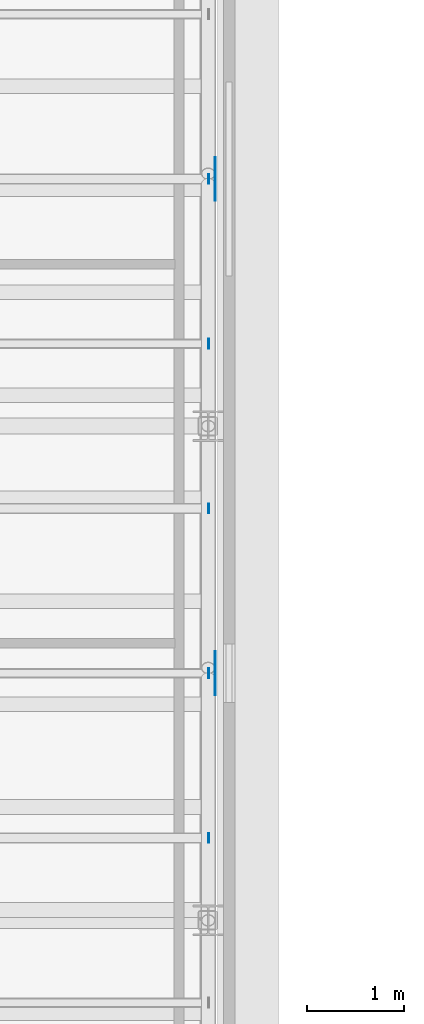
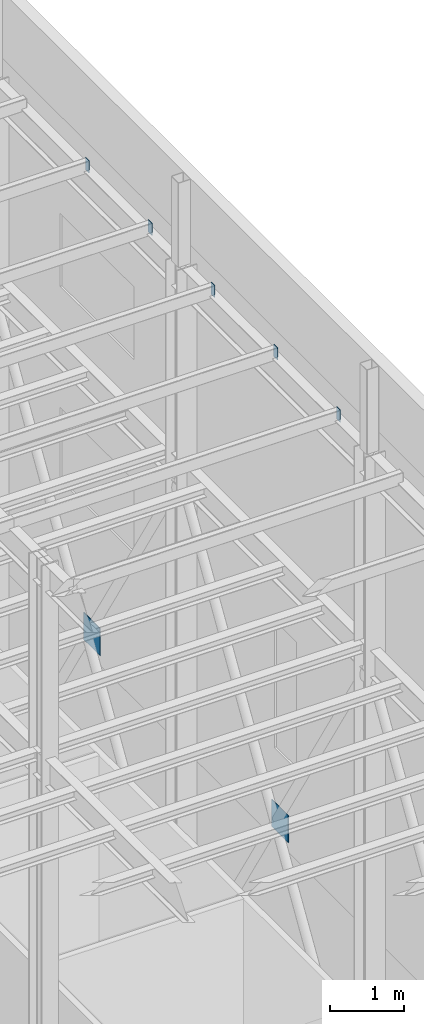
# One storey, part 16 of 22: 7 plates.
"""IFC4 building model written with IfcOpenShell, lengths in metres."""

from ifc_helpers import new_model, si_unit, direction, frame, origin, origin_2d, place, context, subcontext, project, spatial, rectangle, extrude, material, layer, layer_set, type_object, element, save


model = new_model("IFC4")

# Units and contexts
model_context = context("Model", 3, precision=1e-05, world=origin(), true_north=direction((0.0, 1.0)))
body_context = subcontext(model_context, "Body", "Model", "MODEL_VIEW")
ifc_project = project(units=[si_unit("LENGTHUNIT", "METRE"), si_unit("AREAUNIT", "SQUARE_METRE"), si_unit("VOLUMEUNIT", "CUBIC_METRE"), si_unit("PLANEANGLEUNIT", "RADIAN"), si_unit("MASSUNIT", "GRAM", prefix="KILO")], contexts=[model_context])

# Site, building, storey
site_placement = place(None, origin())
site = spatial("IfcSite", under=ifc_project, at=site_placement, CompositionType="ELEMENT")
building_placement = place(site_placement, origin())
building = spatial("IfcBuilding", under=site, at=building_placement, Name="Tide Square Theatres", CompositionType="ELEMENT")
storey_placement = place(building_placement, frame((0.0, 0.0, 24.0)))
storey = spatial("IfcBuildingStorey", under=building, at=storey_placement, Name="L05", CompositionType="ELEMENT", Elevation=24.0)

# Plates
ifc_material = material(Name="Steel ASTM A572 Grade 50", Category="steel")
ifc_layer = layer(ifc_material, 0.010009765625)
ifc_layer_set = layer_set([ifc_layer], Name="Steel ASTM A572 Grade 50")
plate_type = type_object("IfcPlateType", Name="Steel end plate 10 thick", PredefinedType="USERDEFINED", material=ifc_layer_set)
for number, where, z_axis, x_axis, name in (
    (1, (96.72900390625, 72.39306640625, 12.16015625), (0.0, 0.0, 1.0), (1.0, 0.0, 0.0), "Tower roof purlin end plate"),
    (2, (96.72900390625, 74.089599609375, 12.16015625), (0.0, 0.0, 1.0), (1.0, 0.0, 0.0), "Tower roof purlin end plate"),
    (3, (96.72900390625, 75.7861328125, 12.16015625), (0.0, 0.0, 1.0), (1.0, 0.0, 0.0), "Tower roof purlin end plate"),
    (4, (96.72900390625, 77.482666015625, 12.16015625), (0.0, 0.0, 1.0), (1.0, 0.0, 0.0), "Tower roof purlin end plate"),
    (5, (96.72900390625, 79.17919921875, 12.16015625), (0.0, 0.0, 1.0), (1.0, 0.0, 0.0), "Tower roof purlin end plate"),
):
    element("IfcPlate", number, at=place(storey_placement, frame(where, z_axis=z_axis, x_axis=x_axis)), inside=storey, type_object=plate_type, Name=name, ObjectType="END PLATE", PredefinedType="USERDEFINED", context=body_context, shape_type="SweptSolid", body=[
        extrude(rectangle(XDim=0.010009765625, YDim=0.10009765625, at=origin_2d()), origin(), (0.0, 0.0, 1.0), 0.199951171875),
    ])
for number, where, z_axis, x_axis, name in (
    (6, (96.797607421875, 74.089599609375, 4.27490234375), (0.0, 0.0, 1.0), (1.0, 0.0, 0.0), "Fly tower brace crossing node plate"),
    (7, (96.797607421875, 79.17919921875, 4.27490234375), (0.0, 0.0, 1.0), (1.0, 0.0, 0.0), "Fly tower brace crossing node plate"),
):
    element("IfcPlate", number, at=place(storey_placement, frame(where, z_axis=z_axis, x_axis=x_axis)), inside=storey, type_object=plate_type, Name=name, ObjectType="END PLATE", PredefinedType="USERDEFINED", context=body_context, shape_type="SweptSolid", body=[
        extrude(rectangle(XDim=0.010009765625, YDim=0.449951171875, at=origin_2d()), origin(), (0.0, 0.0, 1.0), 0.449951171875),
    ])

save(model, "model.ifc")
